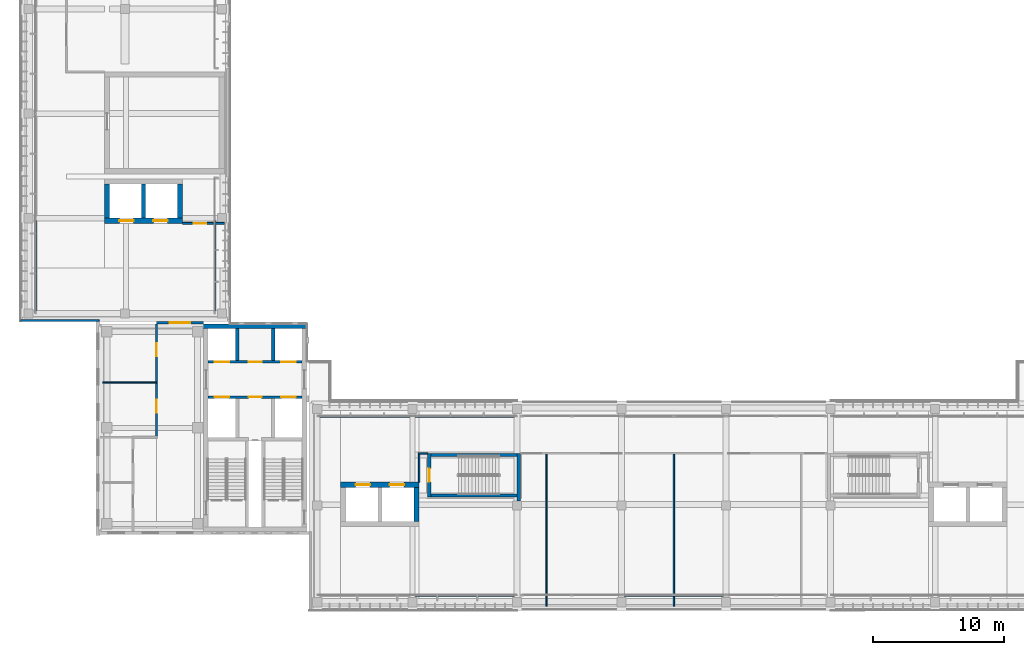
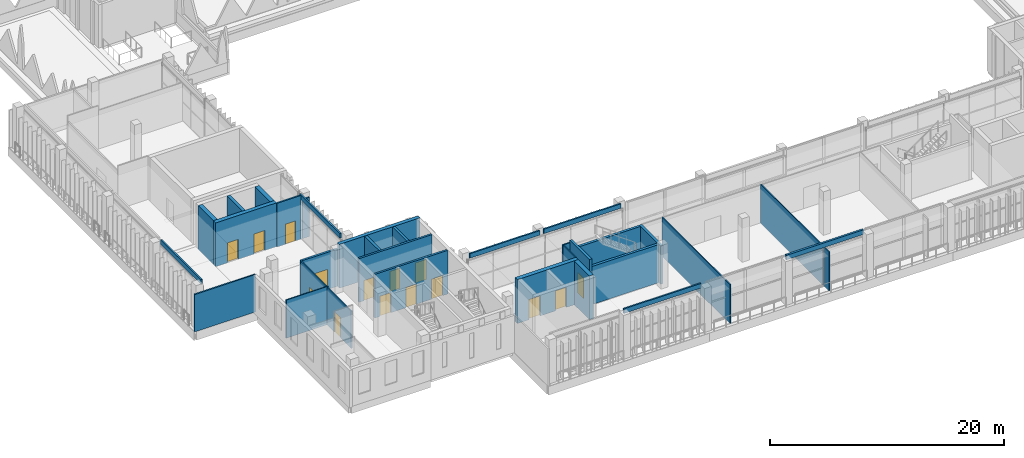
# One storey, part 23 of 46: 32 walls, 15 doors, 15 openings.
"""IFC4 building model written with IfcOpenShell, lengths in metres."""

from ifc_helpers import new_model, si_unit, direction, frame, frame_2d, origin, place, context, subcontext, project, spatial, rectangle, extrude, material, layer, layer_set, type_object, element, fill, save


model = new_model("IFC4")

# Units and contexts
model_context = context("Model", 3, precision=1e-05, world=origin(), true_north=direction((0.0, 1.0)))
body_context = subcontext(model_context, "Body", "Model", "MODEL_VIEW")
ifc_project = project(units=[si_unit("LENGTHUNIT", "METRE"), si_unit("AREAUNIT", "SQUARE_METRE"), si_unit("VOLUMEUNIT", "CUBIC_METRE"), si_unit("PLANEANGLEUNIT", "RADIAN"), si_unit("MASSUNIT", "GRAM", prefix="KILO")], contexts=[model_context])

# Site, building, storey
site_placement = place(None, origin())
site = spatial("IfcSite", under=ifc_project, at=site_placement, CompositionType="ELEMENT")
building_placement = place(site_placement, origin())
building = spatial("IfcBuilding", under=site, at=building_placement, Name="Lantern Court Media Centre", CompositionType="ELEMENT")
storey_placement = place(building_placement, frame((0.0, 0.0, 28.800048828125)))
storey = spatial("IfcBuildingStorey", under=building, at=storey_placement, Name="L06", CompositionType="ELEMENT", Elevation=28.800048828125)

# Walls
ifc_material_1 = material(Name="Gypsum board partition")
ifc_layer_1 = layer(ifc_material_1, 0.125)
ifc_layer_set_1 = layer_set([ifc_layer_1], Name="Gypsum board partition")
wall_type_1 = type_object("IfcWallType", Name="Corridor partition 125", PredefinedType="PARTITIONING", material=ifc_layer_set_1)
wall_1_placement = place(storey_placement, frame((32.5, 51.800048828125, 0.0), z_axis=(0.0, 0.0, 1.0), x_axis=(0.0, 1.0, 0.0)))
element("IfcWall", 1, at=wall_1_placement, inside=storey, type_object=wall_type_1, Name="L06 partition 000", PredefinedType="PARTITIONING", context=body_context, shape_type="SweptSolid", body=[
    extrude(rectangle(XDim=2.137451171875, YDim=0.125, at=frame_2d((1.06884765625, 0.0))), origin(), (0.0, 0.0, 1.0), 4.56005859375),
])
wall_2_placement = place(storey_placement, frame((32.4375, 54.0, 0.0), z_axis=(0.0, 0.0, 1.0), x_axis=(1.0, 0.0, 0.0)))
element("IfcWall", 2, at=wall_2_placement, inside=storey, type_object=wall_type_1, Name="L06 partition 003", PredefinedType="PARTITIONING", context=body_context, shape_type="SweptSolid", body=[
    extrude(rectangle(XDim=0.71240234375, YDim=0.125, at=frame_2d((0.356201171875, 0.0))), origin(), (0.0, 0.0, 1.0), 4.56005859375),
])

# Wall, openings, doors
wall_3_placement = place(storey_placement, frame((12.39990234375, 55.2958984375, 0.0), z_axis=(0.0, 0.0, 1.0), x_axis=(0.0, 1.0, 0.0)))
wall_3 = element("IfcWall", 3, at=wall_3_placement, inside=storey, type_object=wall_type_1, Name="L06 partition 017", PredefinedType="PARTITIONING", context=body_context, shape_type="SweptSolid", body=[
    extrude(rectangle(XDim=8.60400390625, YDim=0.125, at=frame_2d((4.302001953125, 0.0))), origin(), (0.0, 0.0, 1.0), 3.8798828125),
])
opening_1_placement = place(wall_3_placement, frame((1.809326171875, 0.0, 0.0)))
opening_1 = element("IfcOpeningElement", 4, at=opening_1_placement, cuts=wall_3, Name="Opening L06-009", PredefinedType="OPENING", context=body_context, shape_type="SweptSolid", body=[
    extrude(rectangle(XDim=1.0, YDim=2.10009765625, at=frame_2d((0.5, 1.050048828125))), frame((0.0, 0.072509765625, 0.0), z_axis=(0.0, -1.0, 0.0), x_axis=(1.0, 0.0, 0.0)), (0.0, 0.0, 1.0), 0.14501953125),
])
opening_2_placement = place(wall_3_placement, frame((6.142578125, 0.0, 0.0)))
opening_2 = element("IfcOpeningElement", 5, at=opening_2_placement, cuts=wall_3, Name="Opening L06-010", PredefinedType="OPENING", context=body_context, shape_type="SweptSolid", body=[
    extrude(rectangle(XDim=1.0, YDim=2.10009765625, at=frame_2d((0.5, 1.050048828125))), frame((0.0, 0.072509765625, 0.0), z_axis=(0.0, -1.0, 0.0), x_axis=(1.0, 0.0, 0.0)), (0.0, 0.0, 1.0), 0.14501953125),
])
ifc_material_2 = material(Name="Solid-core timber door leaf", Category="wood")
door_type_1 = type_object("IfcDoorType", Name="Single door 1000x2100", OperationType="NOTDEFINED", PredefinedType="DOOR", material=ifc_material_2)
door_1_placement = place(opening_1_placement, origin())
door_1 = element("IfcDoor", 6, at=door_1_placement, inside=storey, type_object=door_type_1, Name="L06 Meeting Room 02 door", OperationType="SINGLE_SWING_RIGHT", OverallHeight=2.10009765625, OverallWidth=1.0, PredefinedType="DOOR", context=body_context, shape_type="SweptSolid", body=[
    extrude(rectangle(XDim=1.0, YDim=2.10009765625, at=frame_2d((0.5, 1.050048828125))), frame((0.0, 0.02490234375, 0.0), z_axis=(0.0, -1.0, 0.0), x_axis=(1.0, 0.0, 0.0)), (0.0, 0.0, 1.0), 0.050048828125),
])
fill(opening_1, door_1)
door_2_placement = place(opening_2_placement, origin())
door_2 = element("IfcDoor", 7, at=door_2_placement, inside=storey, type_object=door_type_1, Name="L06 Library Administration Office door", OperationType="SINGLE_SWING_LEFT", OverallHeight=2.10009765625, OverallWidth=1.0, PredefinedType="DOOR", context=body_context, shape_type="SweptSolid", body=[
    extrude(rectangle(XDim=1.0, YDim=2.10009765625, at=frame_2d((0.5, 1.050048828125))), frame((0.0, 0.02490234375, 0.0), z_axis=(0.0, -1.0, 0.0), x_axis=(1.0, 0.0, 0.0)), (0.0, 0.0, 1.0), 0.050048828125),
])
fill(opening_2, door_2)

ifc_material_3 = material(Name="Concrete C40", Category="concrete")
ifc_layer_2 = layer(ifc_material_3, 0.199951171875)
ifc_layer_set_2 = layer_set([ifc_layer_2], Name="Concrete C40")
wall_type_2 = type_object("IfcWallType", Name="Fire lobby wall 200", PredefinedType="SOLIDWALL", material=ifc_layer_set_2)
wall_4_placement = place(storey_placement, frame((16.35009765625, 58.300048828125, 0.0), z_axis=(0.0, 0.0, 1.0), x_axis=(1.0, 0.0, 0.0)))
wall_4 = element("IfcWall", 8, at=wall_4_placement, inside=storey, type_object=wall_type_2, Name="L06 SW FW1", PredefinedType="SOLIDWALL", context=body_context, shape_type="SweptSolid", body=[
    extrude(rectangle(XDim=7.199951171875, YDim=0.199951171875, at=frame_2d((3.60009765625, 0.0))), origin(), (0.0, 0.0, 1.0), 4.550048828125),
])
opening_3_placement = place(wall_4_placement, frame((0.5, 0.0, 0.0)))
opening_3 = element("IfcOpeningElement", 9, at=opening_3_placement, cuts=wall_4, Name="Opening LD-SWFF-L06", PredefinedType="OPENING", context=body_context, shape_type="SweptSolid", body=[
    extrude(rectangle(XDim=1.10009765625, YDim=2.10009765625, at=frame_2d((0.550048828125, 1.050048828125))), frame((0.0, 0.10986328125, 0.0), z_axis=(0.0, -1.0, 0.0), x_axis=(1.0, 0.0, 0.0)), (0.0, 0.0, 1.0), 0.219970703125),
])
opening_4_placement = place(wall_4_placement, frame((5.60009765625, 0.0, 0.0)))
opening_4 = element("IfcOpeningElement", 10, at=opening_4_placement, cuts=wall_4, Name="Opening LD-SWP1-L06", PredefinedType="OPENING", context=body_context, shape_type="SweptSolid", body=[
    extrude(rectangle(XDim=1.10009765625, YDim=2.10009765625, at=frame_2d((0.550048828125, 1.050048828125))), frame((0.0, 0.10986328125, 0.0), z_axis=(0.0, -1.0, 0.0), x_axis=(1.0, 0.0, 0.0)), (0.0, 0.0, 1.0), 0.219970703125),
])
opening_5_placement = place(wall_4_placement, frame((3.10009765625, 0.0, 0.0)))
opening_5 = element("IfcOpeningElement", 11, at=opening_5_placement, cuts=wall_4, Name="Opening SW-L06-03", PredefinedType="OPENING", context=body_context, shape_type="SweptSolid", body=[
    extrude(rectangle(XDim=1.0, YDim=2.10009765625, at=frame_2d((0.5, 1.050048828125))), frame((0.0, 0.10986328125, 0.0), z_axis=(0.0, -1.0, 0.0), x_axis=(1.0, 0.0, 0.0)), (0.0, 0.0, 1.0), 0.219970703125),
])
ifc_material_4 = material(Name="Steel door leaf", Category="steel")
door_type_2 = type_object("IfcDoorType", Name="Lift landing door 1100x2100", OperationType="DOUBLE_DOOR_SLIDING", PredefinedType="DOOR", material=ifc_material_4)
door_3_placement = place(opening_3_placement, origin())
door_3 = element("IfcDoor", 12, at=door_3_placement, inside=storey, type_object=door_type_2, Name="L06 SW lift FF landing door", OperationType="DOUBLE_DOOR_SLIDING", OverallHeight=2.10009765625, OverallWidth=1.10009765625, PredefinedType="DOOR", context=body_context, shape_type="SweptSolid", body=[
    extrude(rectangle(XDim=1.10009765625, YDim=2.10009765625, at=frame_2d((0.550048828125, 1.050048828125))), frame((0.0, 0.02490234375, 0.0), z_axis=(0.0, -1.0, 0.0), x_axis=(1.0, 0.0, 0.0)), (0.0, 0.0, 1.0), 0.050048828125),
])
fill(opening_3, door_3)
door_4_placement = place(opening_4_placement, origin())
door_4 = element("IfcDoor", 13, at=door_4_placement, inside=storey, type_object=door_type_2, Name="L06 SW lift P1 landing door", OperationType="DOUBLE_DOOR_SLIDING", OverallHeight=2.10009765625, OverallWidth=1.10009765625, PredefinedType="DOOR", context=body_context, shape_type="SweptSolid", body=[
    extrude(rectangle(XDim=1.10009765625, YDim=2.10009765625, at=frame_2d((0.550048828125, 1.050048828125))), frame((0.0, 0.02490234375, 0.0), z_axis=(0.0, -1.0, 0.0), x_axis=(1.0, 0.0, 0.0)), (0.0, 0.0, 1.0), 0.050048828125),
])
fill(opening_4, door_4)
door_type_3 = type_object("IfcDoorType", Name="Service door 1000x2100", OperationType="NOTDEFINED", PredefinedType="DOOR", material=ifc_material_4)
door_5_placement = place(opening_5_placement, origin())
door_5 = element("IfcDoor", 14, at=door_5_placement, inside=storey, type_object=door_type_3, Name="L06 SW services riser door", OperationType="SINGLE_SWING_LEFT", OverallHeight=2.10009765625, OverallWidth=1.0, PredefinedType="DOOR", context=body_context, shape_type="SweptSolid", body=[
    extrude(rectangle(XDim=1.0, YDim=2.10009765625, at=frame_2d((0.5, 1.050048828125))), frame((0.0, 0.02490234375, 0.0), z_axis=(0.0, -1.0, 0.0), x_axis=(1.0, 0.0, 0.0)), (0.0, 0.0, 1.0), 0.050048828125),
])
fill(opening_5, door_5)

wall_5_placement = place(storey_placement, frame((16.35009765625, 61.0, 0.0), z_axis=(0.0, 0.0, 1.0), x_axis=(1.0, 0.0, 0.0)))
wall_5 = element("IfcWall", 15, at=wall_5_placement, inside=storey, type_object=wall_type_2, Name="L06 SW FW2", PredefinedType="SOLIDWALL", context=body_context, shape_type="SweptSolid", body=[
    extrude(rectangle(XDim=7.199951171875, YDim=0.199951171875, at=frame_2d((3.60009765625, 0.0))), origin(), (0.0, 0.0, 1.0), 4.550048828125),
])
opening_6_placement = place(wall_5_placement, frame((0.5, 0.0, 0.0)))
opening_6 = element("IfcOpeningElement", 16, at=opening_6_placement, cuts=wall_5, Name="Opening LD-SWP2-L06", PredefinedType="OPENING", context=body_context, shape_type="SweptSolid", body=[
    extrude(rectangle(XDim=1.10009765625, YDim=2.10009765625, at=frame_2d((0.550048828125, 1.050048828125))), frame((0.0, 0.10986328125, 0.0), z_axis=(0.0, -1.0, 0.0), x_axis=(1.0, 0.0, 0.0)), (0.0, 0.0, 1.0), 0.219970703125),
])
opening_7_placement = place(wall_5_placement, frame((5.60009765625, 0.0, 0.0)))
opening_7 = element("IfcOpeningElement", 17, at=opening_7_placement, cuts=wall_5, Name="Opening LD-SWP3-L06", PredefinedType="OPENING", context=body_context, shape_type="SweptSolid", body=[
    extrude(rectangle(XDim=1.10009765625, YDim=2.10009765625, at=frame_2d((0.550048828125, 1.050048828125))), frame((0.0, 0.10986328125, 0.0), z_axis=(0.0, -1.0, 0.0), x_axis=(1.0, 0.0, 0.0)), (0.0, 0.0, 1.0), 0.219970703125),
])
opening_8_placement = place(wall_5_placement, frame((3.10009765625, 0.0, 0.0)))
opening_8 = element("IfcOpeningElement", 18, at=opening_8_placement, cuts=wall_5, Name="Opening SW-L06-04", PredefinedType="OPENING", context=body_context, shape_type="SweptSolid", body=[
    extrude(rectangle(XDim=1.0, YDim=2.10009765625, at=frame_2d((0.5, 1.050048828125))), frame((0.0, 0.10986328125, 0.0), z_axis=(0.0, -1.0, 0.0), x_axis=(1.0, 0.0, 0.0)), (0.0, 0.0, 1.0), 0.219970703125),
])
door_6_placement = place(opening_6_placement, frame((1.10009765625, 0.0, 0.0), z_axis=(0.0, 0.0, 1.0), x_axis=(-1.0, 0.0, 0.0)))
door_6 = element("IfcDoor", 19, at=door_6_placement, inside=storey, type_object=door_type_2, Name="L06 SW lift P2 landing door", OperationType="DOUBLE_DOOR_SLIDING", OverallHeight=2.10009765625, OverallWidth=1.10009765625, PredefinedType="DOOR", context=body_context, shape_type="SweptSolid", body=[
    extrude(rectangle(XDim=1.10009765625, YDim=2.10009765625, at=frame_2d((0.550048828125, 1.050048828125))), frame((0.0, 0.02490234375, 0.0), z_axis=(0.0, -1.0, 0.0), x_axis=(1.0, 0.0, 0.0)), (0.0, 0.0, 1.0), 0.050048828125),
])
fill(opening_6, door_6)
door_7_placement = place(opening_7_placement, frame((1.10009765625, 0.0, 0.0), z_axis=(0.0, 0.0, 1.0), x_axis=(-1.0, 0.0, 0.0)))
door_7 = element("IfcDoor", 20, at=door_7_placement, inside=storey, type_object=door_type_2, Name="L06 SW lift P3 landing door", OperationType="DOUBLE_DOOR_SLIDING", OverallHeight=2.10009765625, OverallWidth=1.10009765625, PredefinedType="DOOR", context=body_context, shape_type="SweptSolid", body=[
    extrude(rectangle(XDim=1.10009765625, YDim=2.10009765625, at=frame_2d((0.550048828125, 1.050048828125))), frame((0.0, 0.02490234375, 0.0), z_axis=(0.0, -1.0, 0.0), x_axis=(1.0, 0.0, 0.0)), (0.0, 0.0, 1.0), 0.050048828125),
])
fill(opening_7, door_7)
door_8_placement = place(opening_8_placement, frame((1.0, 0.0, 0.0), z_axis=(0.0, 0.0, 1.0), x_axis=(-1.0, 0.0, 0.0)))
door_8 = element("IfcDoor", 21, at=door_8_placement, inside=storey, type_object=door_type_3, Name="L06 SW accessible WC door", OperationType="SINGLE_SWING_RIGHT", OverallHeight=2.10009765625, OverallWidth=1.0, PredefinedType="DOOR", context=body_context, shape_type="SweptSolid", body=[
    extrude(rectangle(XDim=1.0, YDim=2.10009765625, at=frame_2d((0.5, 1.050048828125))), frame((0.0, 0.02490234375, 0.0), z_axis=(0.0, -1.0, 0.0), x_axis=(1.0, 0.0, 0.0)), (0.0, 0.0, 1.0), 0.050048828125),
])
fill(opening_8, door_8)

# Walls
ifc_material_5 = material(Name="Insulated rendered blockwork", Category="masonry")
ifc_layer_3 = layer(ifc_material_5, 0.14990234375)
ifc_layer_set_3 = layer_set([ifc_layer_3], Name="Insulated rendered blockwork")
wall_type_3 = type_object("IfcWallType", Name="Head infill wall 150", PredefinedType="SOLIDWALL", material=ifc_layer_set_3)
wall_6_placement = place(storey_placement, frame((32.199951171875, 43.14990234375, 4.099853515625), z_axis=(0.0, 0.0, 1.0), x_axis=(1.0, 0.0, 0.0)))
element("IfcWall", 22, at=wall_6_placement, inside=storey, type_object=wall_type_3, Name="Head infill wall S outer L06", PredefinedType="SOLIDWALL", context=body_context, shape_type="SweptSolid", body=[
    extrude(rectangle(XDim=7.60009765625, YDim=0.14990234375, at=frame_2d((3.800048828125, 0.0))), origin(), (0.0, 0.0, 1.0), 0.47998046875),
])
wall_7_placement = place(storey_placement, frame((24.89990234375, 56.85009765625, 4.099853515625), z_axis=(0.0, 0.0, 1.0), x_axis=(1.0, 0.0, 0.0)))
element("IfcWall", 23, at=wall_7_placement, inside=storey, type_object=wall_type_3, Name="Head infill wall S inner L06", PredefinedType="SOLIDWALL", context=body_context, shape_type="SweptSolid", body=[
    extrude(rectangle(XDim=6.900146484375, YDim=0.14990234375, at=frame_2d((3.4501953125, 0.0))), origin(), (0.0, 0.0, 1.0), 0.47998046875),
])
wall_8_placement = place(storey_placement, frame((32.199951171875, 56.85009765625, 4.099853515625), z_axis=(0.0, 0.0, 1.0), x_axis=(1.0, 0.0, 0.0)))
element("IfcWall", 24, at=wall_8_placement, inside=storey, type_object=wall_type_3, Name="Head infill wall S inner L06", PredefinedType="SOLIDWALL", context=body_context, shape_type="SweptSolid", body=[
    extrude(rectangle(XDim=7.60009765625, YDim=0.14990234375, at=frame_2d((3.800048828125, 0.0))), origin(), (0.0, 0.0, 1.0), 0.47998046875),
])
for number, where, z_axis, x_axis, name in (
    (25, (3.14990234375, 64.89990234375, 4.099853515625), (0.0, 0.0, 1.0), (0.0, 1.0, 0.0), "Head infill wall W outer L06"),
    (26, (16.85009765625, 64.89990234375, 4.099853515625), (0.0, 0.0, 1.0), (0.0, 1.0, 0.0), "Head infill wall W inner L06"),
):
    element("IfcWall", number, at=place(storey_placement, frame(where, z_axis=z_axis, x_axis=x_axis)), inside=storey, type_object=wall_type_3, Name=name, PredefinedType="SOLIDWALL", context=body_context, shape_type="SweptSolid", body=[
        extrude(rectangle(XDim=6.900146484375, YDim=0.14990234375, at=frame_2d((3.4501953125, 0.0))), origin(), (0.0, 0.0, 1.0), 0.47998046875),
    ])
ifc_layer_4 = layer(ifc_material_5, 0.199951171875)
ifc_layer_set_4 = layer_set([ifc_layer_4], Name="Insulated rendered blockwork")
wall_type_4 = type_object("IfcWallType", Name="Head infill wall 200", PredefinedType="SOLIDWALL", material=ifc_layer_set_4)
wall_9_placement = place(storey_placement, frame((48.199951171875, 43.14990234375, 4.099853515625), z_axis=(0.0, 0.0, 1.0), x_axis=(1.0, 0.0, 0.0)))
element("IfcWall", 27, at=wall_9_placement, inside=storey, type_object=wall_type_4, Name="Head infill wall S hall", PredefinedType="SOLIDWALL", context=body_context, shape_type="SweptSolid", body=[
    extrude(rectangle(XDim=7.60009765625, YDim=0.199951171875, at=frame_2d((3.800048828125, 0.0))), origin(), (0.0, 0.0, 1.0), 0.47998046875),
])
ifc_material_6 = material(Name="Honed limestone cladding on blockwork", Category="masonry")
ifc_layer_5 = layer(ifc_material_6, 0.139892578125)
ifc_layer_set_5 = layer_set([ifc_layer_5], Name="Honed limestone cladding on blockwork")
wall_type_5 = type_object("IfcWallType", Name="Limestone closure wall 140", PredefinedType="SOLIDWALL", material=ifc_layer_set_5)
wall_10_placement = place(storey_placement, frame((2.0, 64.169921875, 0.0), z_axis=(0.0, 0.0, 1.0), x_axis=(1.0, 0.0, 0.0)))
element("IfcWall", 28, at=wall_10_placement, inside=storey, type_object=wall_type_5, Name="Limestone closure wall W-SW L06", PredefinedType="SOLIDWALL", context=body_context, shape_type="SweptSolid", body=[
    extrude(rectangle(XDim=6.0, YDim=0.139892578125, at=frame_2d((3.0, 0.0))), origin(), (0.0, 0.0, 1.0), 3.89990234375),
])

# Wall, opening, door
ifc_material_7 = material(Name="Fire-rated gypsum board")
ifc_layer_6 = layer(ifc_material_7, 0.199951171875)
ifc_layer_set_6 = layer_set([ifc_layer_6], Name="Fire-rated gypsum board")
wall_type_6 = type_object("IfcWallType", Name="Movement-joint compartment wall 200", PredefinedType="PARTITIONING", material=ifc_layer_set_6)
wall_11_placement = place(storey_placement, frame((12.39990234375, 64.0, 0.0), z_axis=(0.0, 0.0, 1.0), x_axis=(1.0, 0.0, 0.0)))
wall_11 = element("IfcWall", 29, at=wall_11_placement, inside=storey, type_object=wall_type_6, Name="L06 movement-joint wall 23", PredefinedType="PARTITIONING", context=body_context, shape_type="SweptSolid", body=[
    extrude(rectangle(XDim=3.60009765625, YDim=0.199951171875, at=frame_2d((1.800048828125, 0.0))), origin(), (0.0, 0.0, 1.0), 3.8798828125),
])
opening_9_placement = place(wall_11_placement, frame((1.0, 0.0, 0.0)))
opening_9 = element("IfcOpeningElement", 30, at=opening_9_placement, cuts=wall_11, Name="Opening L06-J23", PredefinedType="OPENING", context=body_context, shape_type="SweptSolid", body=[
    extrude(rectangle(XDim=1.60009765625, YDim=2.10009765625, at=frame_2d((0.800048828125, 1.050048828125))), frame((0.0, 0.10986328125, 0.0), z_axis=(0.0, -1.0, 0.0), x_axis=(1.0, 0.0, 0.0)), (0.0, 0.0, 1.0), 0.219970703125),
])
door_type_4 = type_object("IfcDoorType", Name="Movement-joint fire door pair 1600x2100", OperationType="NOTDEFINED", PredefinedType="DOOR", material=ifc_material_4)
door_9_placement = place(opening_9_placement, frame((1.60009765625, 0.0, 0.0), z_axis=(0.0, 0.0, 1.0), x_axis=(-1.0, 0.0, 0.0)))
door_9 = element("IfcDoor", 31, at=door_9_placement, inside=storey, type_object=door_type_4, Name="L06 bar end lobby door 23", OperationType="DOUBLE_DOOR_SINGLE_SWING", OverallHeight=2.10009765625, OverallWidth=1.60009765625, PredefinedType="DOOR", context=body_context, shape_type="SweptSolid", body=[
    extrude(rectangle(XDim=1.60009765625, YDim=2.10009765625, at=frame_2d((0.800048828125, 1.050048828125))), frame((0.0, 0.02490234375, 0.0), z_axis=(0.0, -1.0, 0.0), x_axis=(1.0, 0.0, 0.0)), (0.0, 0.0, 1.0), 0.050048828125),
])
fill(opening_9, door_9)

# Walls
ifc_layer_7 = layer(ifc_material_1, 0.10009765625)
ifc_layer_set_7 = layer_set([ifc_layer_7], Name="Gypsum board partition")
wall_type_7 = type_object("IfcWallType", Name="Partition 100", PredefinedType="PARTITIONING", material=ifc_layer_set_7)
wall_12_placement = place(storey_placement, frame((42.25, 42.300048828125, 0.0), z_axis=(0.0, 0.0, 1.0), x_axis=(0.0, 1.0, 0.0)))
element("IfcWall", 32, at=wall_12_placement, inside=storey, type_object=wall_type_7, Name="L06 partition 002", PredefinedType="PARTITIONING", context=body_context, shape_type="SweptSolid", body=[
    extrude(rectangle(XDim=11.637451171875, YDim=0.10009765625, at=frame_2d((5.81884765625, 0.0))), origin(), (0.0, 0.0, 1.0), 4.079833984375),
])
wall_13_placement = place(storey_placement, frame((52.0, 42.300048828125, 0.0), z_axis=(0.0, 0.0, 1.0), x_axis=(0.0, 1.0, 0.0)))
element("IfcWall", 33, at=wall_13_placement, inside=storey, type_object=wall_type_7, Name="L06 partition 006", PredefinedType="PARTITIONING", context=body_context, shape_type="SweptSolid", body=[
    extrude(rectangle(XDim=0.75, YDim=0.10009765625, at=frame_2d((0.375, 0.0))), origin(), (0.0, 0.0, 1.0), 4.079833984375),
])
wall_14_placement = place(storey_placement, frame((52.0, 43.25, 0.0), z_axis=(0.0, 0.0, 1.0), x_axis=(0.0, 1.0, 0.0)))
element("IfcWall", 34, at=wall_14_placement, inside=storey, type_object=wall_type_7, Name="L06 partition 007", PredefinedType="PARTITIONING", context=body_context, shape_type="SweptSolid", body=[
    extrude(rectangle(XDim=10.6875, YDim=0.10009765625, at=frame_2d((5.34375, 0.0))), origin(), (0.0, 0.0, 1.0), 4.079833984375),
])
wall_15_placement = place(storey_placement, frame((8.300048828125, 59.427001953125, 0.0), z_axis=(0.0, 0.0, 1.0), x_axis=(1.0, 0.0, 0.0)))
element("IfcWall", 35, at=wall_15_placement, inside=storey, type_object=wall_type_7, Name="L06 partition 020", PredefinedType="PARTITIONING", context=body_context, shape_type="SweptSolid", body=[
    extrude(rectangle(XDim=4.162353515625, YDim=0.10009765625, at=frame_2d((2.0810546875, 0.0))), origin(), (0.0, 0.0, 1.0), 3.97998046875),
])

# Wall, opening, door
ifc_material_8 = material(Name="Concrete blockwork C20", Category="masonry")
ifc_layer_8 = layer(ifc_material_8, 0.14990234375)
ifc_layer_set_8 = layer_set([ifc_layer_8], Name="Concrete blockwork C20")
wall_type_8 = type_object("IfcWallType", Name="Partition 150 masonry", PredefinedType="PARTITIONING", material=ifc_layer_set_8)
wall_16_placement = place(storey_placement, frame((14.39990234375, 71.60009765625, 0.0), z_axis=(0.0, 0.0, 1.0), x_axis=(1.0, 0.0, 0.0)))
wall_16 = element("IfcWall", 36, at=wall_16_placement, inside=storey, type_object=wall_type_8, Name="L06 partition 013", PredefinedType="PARTITIONING", context=body_context, shape_type="SweptSolid", body=[
    extrude(rectangle(XDim=2.3701171875, YDim=0.14990234375, at=frame_2d((1.18505859375, 0.0))), origin(), (0.0, 0.0, 1.0), 4.56005859375),
])
opening_10_placement = place(wall_16_placement, frame((0.85009765625, 0.0, 0.0)))
opening_10 = element("IfcOpeningElement", 37, at=opening_10_placement, cuts=wall_16, Name="Opening L06-006", PredefinedType="OPENING", context=body_context, shape_type="SweptSolid", body=[
    extrude(rectangle(XDim=0.949951171875, YDim=2.10009765625, at=frame_2d((0.47509765625, 1.050048828125))), frame((0.0, 0.0849609375, 0.0), z_axis=(0.0, -1.0, 0.0), x_axis=(1.0, 0.0, 0.0)), (0.0, 0.0, 1.0), 0.169921875),
])
door_type_5 = type_object("IfcDoorType", Name="Accessible WC door 950x2100", OperationType="NOTDEFINED", PredefinedType="DOOR", material=ifc_material_2)
door_10_placement = place(opening_10_placement, origin())
door_10 = element("IfcDoor", 38, at=door_10_placement, inside=storey, type_object=door_type_5, Name="L06 Accessible WC door", OperationType="SINGLE_SWING_LEFT", OverallHeight=2.10009765625, OverallWidth=0.949951171875, PredefinedType="DOOR", context=body_context, shape_type="SweptSolid", body=[
    extrude(rectangle(XDim=0.949951171875, YDim=2.10009765625, at=frame_2d((0.47509765625, 1.050048828125))), frame((0.0, 0.02490234375, 0.0), z_axis=(0.0, -1.0, 0.0), x_axis=(1.0, 0.0, 0.0)), (0.0, 0.0, 1.0), 0.050048828125),
])
fill(opening_10, door_10)

# Walls
wall_17_placement = place(storey_placement, frame((16.929931640625, 71.60009765625, 0.0), z_axis=(0.0, 0.0, 1.0), x_axis=(1.0, 0.0, 0.0)))
element("IfcWall", 39, at=wall_17_placement, inside=storey, type_object=wall_type_8, Name="L06 partition 014", PredefinedType="PARTITIONING", context=body_context, shape_type="SweptSolid", body=[
    extrude(rectangle(XDim=0.670166015625, YDim=0.14990234375, at=frame_2d((0.3349609375, 0.0))), origin(), (0.0, 0.0, 1.0), 4.079833984375),
])
ifc_layer_9 = layer(ifc_material_3, 0.35009765625)
ifc_layer_set_9 = layer_set([ifc_layer_9], Name="Concrete C40")
wall_type_9 = type_object("IfcWallType", Name="RC CORE WALL 350", PredefinedType="SHEAR", material=ifc_layer_set_9)
wall_18_placement = place(storey_placement, frame((15.949951171875, 63.72509765625, 0.0), z_axis=(0.0, 0.0, 1.0), x_axis=(1.0, 0.0, 0.0)))
element("IfcWall", 40, at=wall_18_placement, inside=storey, type_object=wall_type_9, Name="WC-SW-L06-N", PredefinedType="SHEAR", context=body_context, shape_type="SweptSolid", body=[
    extrude(rectangle(XDim=7.949951171875, YDim=0.35009765625, at=frame_2d((3.97509765625, 0.0))), origin(), (0.0, 0.0, 1.0), 4.579833984375),
])
ifc_layer_10 = layer(ifc_material_3, 0.300048828125)
ifc_layer_set_10 = layer_set([ifc_layer_10], Name="Concrete C40")
wall_type_10 = type_object("IfcWallType", Name="RC SHEAR WALL 300", PredefinedType="SHEAR", material=ifc_layer_set_10)
wall_19_placement = place(storey_placement, frame((11.39990234375, 72.0, 0.0), z_axis=(0.0, 0.0, 1.0), x_axis=(0.0, 1.0, 0.0)))
element("IfcWall", 41, at=wall_19_placement, inside=storey, type_object=wall_type_10, Name="WB-W-LC-L06-D", PredefinedType="SHEAR", context=body_context, shape_type="SweptSolid", body=[
    extrude(rectangle(XDim=2.60009765625, YDim=0.300048828125, at=frame_2d((1.300048828125, 0.0))), origin(), (0.0, 0.0, 1.0), 4.579833984375),
])

# Wall, openings, doors
ifc_layer_11 = layer(ifc_material_3, 0.39990234375)
ifc_layer_set_11 = layer_set([ifc_layer_11], Name="Concrete C40")
wall_type_11 = type_object("IfcWallType", Name="RC SHEAR WALL 400", PredefinedType="SHEAR", material=ifc_layer_set_11)
wall_20_placement = place(storey_placement, frame((26.5, 51.60009765625, 0.0), z_axis=(0.0, 0.0, 1.0), x_axis=(1.0, 0.0, 0.0)))
wall_20 = element("IfcWall", 42, at=wall_20_placement, inside=storey, type_object=wall_type_11, Name="WB-S-LC1-L06-N", PredefinedType="SHEAR", context=body_context, shape_type="SweptSolid", body=[
    extrude(rectangle(XDim=6.0, YDim=0.39990234375, at=frame_2d((3.0, 0.0))), origin(), (0.0, 0.0, 1.0), 4.579833984375),
])
opening_11_placement = place(wall_20_placement, frame((1.14990234375, 0.0, 0.0)))
opening_11 = element("IfcOpeningElement", 43, at=opening_11_placement, cuts=wall_20, Name="Opening LD-S-LC1P-L06", PredefinedType="OPENING", context=body_context, shape_type="SweptSolid", body=[
    extrude(rectangle(XDim=1.10009765625, YDim=2.10009765625, at=frame_2d((0.550048828125, 1.050048828125))), frame((0.0, 0.2099609375, 0.0), z_axis=(0.0, -1.0, 0.0), x_axis=(1.0, 0.0, 0.0)), (0.0, 0.0, 1.0), 0.419921875),
])
opening_12_placement = place(wall_20_placement, frame((3.75, 0.0, 0.0)))
opening_12 = element("IfcOpeningElement", 44, at=opening_12_placement, cuts=wall_20, Name="Opening LD-S-LC1S-L06", PredefinedType="OPENING", context=body_context, shape_type="SweptSolid", body=[
    extrude(rectangle(XDim=1.10009765625, YDim=2.10009765625, at=frame_2d((0.550048828125, 1.050048828125))), frame((0.0, 0.2099609375, 0.0), z_axis=(0.0, -1.0, 0.0), x_axis=(1.0, 0.0, 0.0)), (0.0, 0.0, 1.0), 0.419921875),
])
door_11_placement = place(opening_11_placement, origin())
door_11 = element("IfcDoor", 45, at=door_11_placement, inside=storey, type_object=door_type_2, Name="L06 S-LC1 passenger lift landing door", OperationType="DOUBLE_DOOR_SLIDING", OverallHeight=2.10009765625, OverallWidth=1.10009765625, PredefinedType="DOOR", context=body_context, shape_type="SweptSolid", body=[
    extrude(rectangle(XDim=1.10009765625, YDim=2.10009765625, at=frame_2d((0.550048828125, 1.050048828125))), frame((0.0, 0.02490234375, 0.0), z_axis=(0.0, -1.0, 0.0), x_axis=(1.0, 0.0, 0.0)), (0.0, 0.0, 1.0), 0.050048828125),
])
fill(opening_11, door_11)
door_12_placement = place(opening_12_placement, origin())
door_12 = element("IfcDoor", 46, at=door_12_placement, inside=storey, type_object=door_type_2, Name="L06 S-LC1 service lift landing door", OperationType="DOUBLE_DOOR_SLIDING", OverallHeight=2.10009765625, OverallWidth=1.10009765625, PredefinedType="DOOR", context=body_context, shape_type="SweptSolid", body=[
    extrude(rectangle(XDim=1.10009765625, YDim=2.10009765625, at=frame_2d((0.550048828125, 1.050048828125))), frame((0.0, 0.02490234375, 0.0), z_axis=(0.0, -1.0, 0.0), x_axis=(1.0, 0.0, 0.0)), (0.0, 0.0, 1.0), 0.050048828125),
])
fill(opening_12, door_12)

# Wall
wall_21_placement = place(storey_placement, frame((32.300048828125, 48.800048828125, 0.0), z_axis=(0.0, 0.0, 1.0), x_axis=(0.0, 1.0, 0.0)))
element("IfcWall", 47, at=wall_21_placement, inside=storey, type_object=wall_type_11, Name="WB-S-LC1-L06-E", PredefinedType="SHEAR", context=body_context, shape_type="SweptSolid", body=[
    extrude(rectangle(XDim=2.599853515625, YDim=0.39990234375, at=frame_2d((1.2998046875, 0.0))), origin(), (0.0, 0.0, 1.0), 4.579833984375),
])

# Wall, openings, doors
wall_22_placement = place(storey_placement, frame((8.39990234375, 71.800048828125, 0.0), z_axis=(0.0, 0.0, 1.0), x_axis=(1.0, 0.0, 0.0)))
wall_22 = element("IfcWall", 48, at=wall_22_placement, inside=storey, type_object=wall_type_11, Name="WB-W-LC-L06-S", PredefinedType="SHEAR", context=body_context, shape_type="SweptSolid", body=[
    extrude(rectangle(XDim=6.0, YDim=0.39990234375, at=frame_2d((3.0, 0.0))), origin(), (0.0, 0.0, 1.0), 4.579833984375),
])
opening_13_placement = place(wall_22_placement, frame((1.14990234375, 0.0, 0.0)))
opening_13 = element("IfcOpeningElement", 49, at=opening_13_placement, cuts=wall_22, Name="Opening LD-W-LCP-L06", PredefinedType="OPENING", context=body_context, shape_type="SweptSolid", body=[
    extrude(rectangle(XDim=1.10009765625, YDim=2.10009765625, at=frame_2d((0.550048828125, 1.050048828125))), frame((0.0, 0.2099609375, 0.0), z_axis=(0.0, -1.0, 0.0), x_axis=(1.0, 0.0, 0.0)), (0.0, 0.0, 1.0), 0.419921875),
])
opening_14_placement = place(wall_22_placement, frame((3.75, 0.0, 0.0)))
opening_14 = element("IfcOpeningElement", 50, at=opening_14_placement, cuts=wall_22, Name="Opening LD-W-LCS-L06", PredefinedType="OPENING", context=body_context, shape_type="SweptSolid", body=[
    extrude(rectangle(XDim=1.10009765625, YDim=2.10009765625, at=frame_2d((0.550048828125, 1.050048828125))), frame((0.0, 0.2099609375, 0.0), z_axis=(0.0, -1.0, 0.0), x_axis=(1.0, 0.0, 0.0)), (0.0, 0.0, 1.0), 0.419921875),
])
door_13_placement = place(opening_13_placement, frame((1.10009765625, 0.0, 0.0), z_axis=(0.0, 0.0, 1.0), x_axis=(-1.0, 0.0, 0.0)))
door_13 = element("IfcDoor", 51, at=door_13_placement, inside=storey, type_object=door_type_2, Name="L06 W-LC passenger lift landing door", OperationType="DOUBLE_DOOR_SLIDING", OverallHeight=2.10009765625, OverallWidth=1.10009765625, PredefinedType="DOOR", context=body_context, shape_type="SweptSolid", body=[
    extrude(rectangle(XDim=1.10009765625, YDim=2.10009765625, at=frame_2d((0.550048828125, 1.050048828125))), frame((0.0, 0.02490234375, 0.0), z_axis=(0.0, -1.0, 0.0), x_axis=(1.0, 0.0, 0.0)), (0.0, 0.0, 1.0), 0.050048828125),
])
fill(opening_13, door_13)
door_14_placement = place(opening_14_placement, frame((1.10009765625, 0.0, 0.0), z_axis=(0.0, 0.0, 1.0), x_axis=(-1.0, 0.0, 0.0)))
door_14 = element("IfcDoor", 52, at=door_14_placement, inside=storey, type_object=door_type_2, Name="L06 W-LC service lift landing door", OperationType="DOUBLE_DOOR_SLIDING", OverallHeight=2.10009765625, OverallWidth=1.10009765625, PredefinedType="DOOR", context=body_context, shape_type="SweptSolid", body=[
    extrude(rectangle(XDim=1.10009765625, YDim=2.10009765625, at=frame_2d((0.550048828125, 1.050048828125))), frame((0.0, 0.02490234375, 0.0), z_axis=(0.0, -1.0, 0.0), x_axis=(1.0, 0.0, 0.0)), (0.0, 0.0, 1.0), 0.050048828125),
])
fill(opening_14, door_14)

# Walls
for number, where, z_axis, x_axis, name in (
    (53, (8.60009765625, 72.0, 0.0), (0.0, 0.0, 1.0), (0.0, 1.0, 0.0), "WB-W-LC-L06-W"),
    (54, (14.199951171875, 72.0, 0.0), (0.0, 0.0, 1.0), (0.0, 1.0, 0.0), "WB-W-LC-L06-E"),
):
    element("IfcWall", number, at=place(storey_placement, frame(where, z_axis=z_axis, x_axis=x_axis)), inside=storey, type_object=wall_type_11, Name=name, PredefinedType="SHEAR", context=body_context, shape_type="SweptSolid", body=[
        extrude(rectangle(XDim=2.60009765625, YDim=0.39990234375, at=frame_2d((1.300048828125, 0.0))), origin(), (0.0, 0.0, 1.0), 4.579833984375),
    ])
ifc_layer_12 = layer(ifc_material_3, 0.25)
ifc_layer_set_12 = layer_set([ifc_layer_12], Name="Concrete C40")
wall_type_12 = type_object("IfcWallType", Name="RC lift shaft wall 250", PredefinedType="SOLIDWALL", material=ifc_layer_set_12)
for number, where, z_axis, x_axis, name in (
    (55, (18.574951171875, 61.10009765625, 0.0), (0.0, 0.0, 1.0), (0.0, 1.0, 0.0), "L06 SW L1b"),
    (56, (21.324951171875, 61.10009765625, 0.0), (0.0, 0.0, 1.0), (0.0, 1.0, 0.0), "L06 SW L2b"),
):
    element("IfcWall", number, at=place(storey_placement, frame(where, z_axis=z_axis, x_axis=x_axis)), inside=storey, type_object=wall_type_12, Name=name, PredefinedType="SOLIDWALL", context=body_context, shape_type="SweptSolid", body=[
        extrude(rectangle(XDim=2.449951171875, YDim=0.25, at=frame_2d((1.22509765625, 0.0))), origin(), (0.0, 0.0, 1.0), 4.550048828125),
    ])

# Wall, opening, door
ifc_layer_13 = layer(ifc_material_3, 0.25)
ifc_layer_set_13 = layer_set([ifc_layer_13], Name="Concrete C40")
wall_type_13 = type_object("IfcWallType", Name="RC stair shaft wall 250", PredefinedType="SOLIDWALL", material=ifc_layer_set_13)
wall_23_placement = place(storey_placement, frame((33.27490234375, 50.64990234375, 0.0), z_axis=(0.0, 0.0, 1.0), x_axis=(0.0, 1.0, 0.0)))
wall_23 = element("IfcWall", 57, at=wall_23_placement, inside=storey, type_object=wall_type_13, Name="L06 V3-ST-W shaft wall W", PredefinedType="SOLIDWALL", context=body_context, shape_type="SweptSolid", body=[
    extrude(rectangle(XDim=3.35009765625, YDim=0.25, at=frame_2d((1.675048828125, 0.0))), origin(), (0.0, 0.0, 1.0), 4.800048828125),
])
opening_15_placement = place(wall_23_placement, frame((1.175048828125, 0.0, 0.0)))
opening_15 = element("IfcOpeningElement", 58, at=opening_15_placement, cuts=wall_23, Name="Opening V3-ST-W-L06-01", PredefinedType="OPENING", context=body_context, shape_type="SweptSolid", body=[
    extrude(rectangle(XDim=1.0, YDim=2.10009765625, at=frame_2d((0.5, 1.050048828125))), frame((0.0, 0.135009765625, 0.0), z_axis=(0.0, -1.0, 0.0), x_axis=(1.0, 0.0, 0.0)), (0.0, 0.0, 1.0), 0.27001953125),
])
door_type_6 = type_object("IfcDoorType", Name="Stair door 1000x2100", OperationType="NOTDEFINED", PredefinedType="DOOR", material=ifc_material_4)
door_15_placement = place(opening_15_placement, origin())
door_15 = element("IfcDoor", 59, at=door_15_placement, inside=storey, type_object=door_type_6, Name="L06 V3-ST-W stair door", OperationType="SINGLE_SWING_LEFT", OverallHeight=2.10009765625, OverallWidth=1.0, PredefinedType="DOOR", context=body_context, shape_type="SweptSolid", body=[
    extrude(rectangle(XDim=1.0, YDim=2.10009765625, at=frame_2d((0.5, 1.050048828125))), frame((0.0, 0.02490234375, 0.0), z_axis=(0.0, -1.0, 0.0), x_axis=(1.0, 0.0, 0.0)), (0.0, 0.0, 1.0), 0.050048828125),
])
fill(opening_15, door_15)

# Walls
wall_24_placement = place(storey_placement, frame((40.125, 50.35009765625, 0.0), z_axis=(0.0, 0.0, 1.0), x_axis=(0.0, 1.0, 0.0)))
element("IfcWall", 60, at=wall_24_placement, inside=storey, type_object=wall_type_13, Name="L06 V3-ST-W shaft wall E", PredefinedType="SOLIDWALL", context=body_context, shape_type="SweptSolid", body=[
    extrude(rectangle(XDim=3.64990234375, YDim=0.25, at=frame_2d((1.824951171875, 0.0))), origin(), (0.0, 0.0, 1.0), 3.97998046875),
])
for number, where, z_axis, x_axis, name in (
    (61, (33.39990234375, 50.77490234375, 0.0), (0.0, 0.0, 1.0), (1.0, 0.0, 0.0), "L06 V3-ST-W shaft wall S"),
    (62, (33.39990234375, 53.875, 0.0), (0.0, 0.0, 1.0), (1.0, 0.0, 0.0), "L06 V3-ST-W shaft wall N"),
):
    element("IfcWall", number, at=place(storey_placement, frame(where, z_axis=z_axis, x_axis=x_axis)), inside=storey, type_object=wall_type_13, Name=name, PredefinedType="SOLIDWALL", context=body_context, shape_type="SweptSolid", body=[
        extrude(rectangle(XDim=6.60009765625, YDim=0.25, at=frame_2d((3.300048828125, 0.0))), origin(), (0.0, 0.0, 1.0), 3.97998046875),
    ])

save(model, "model.ifc")
